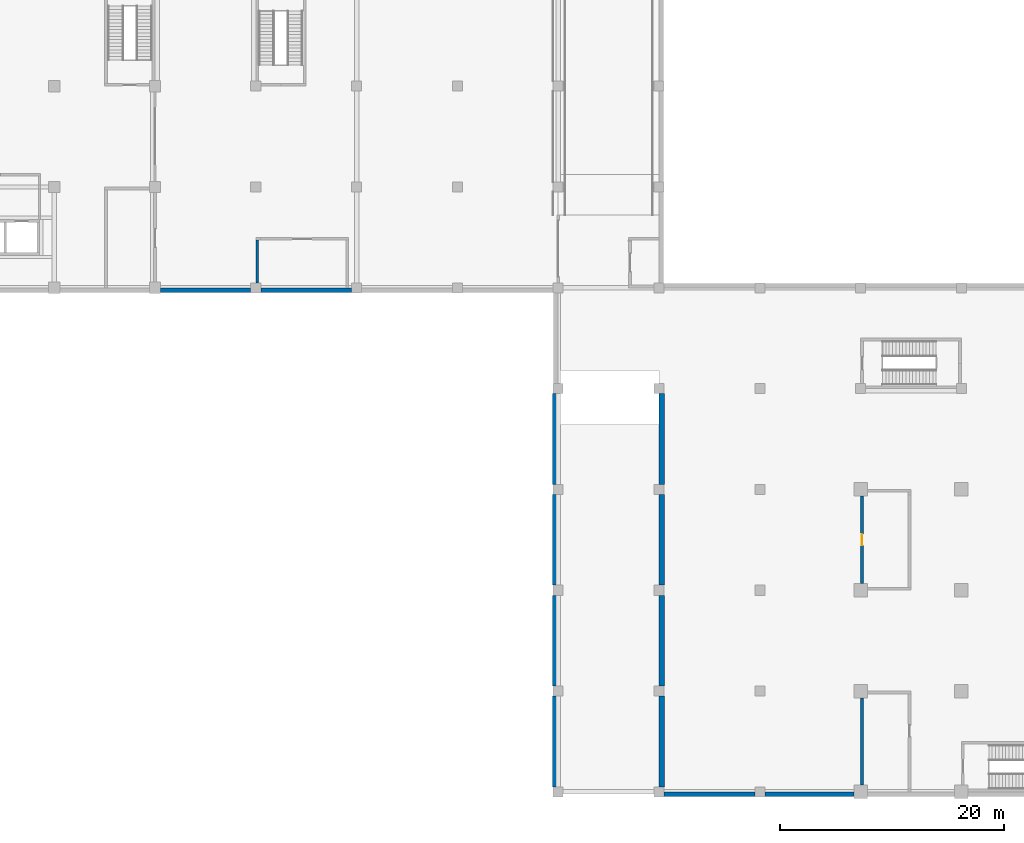
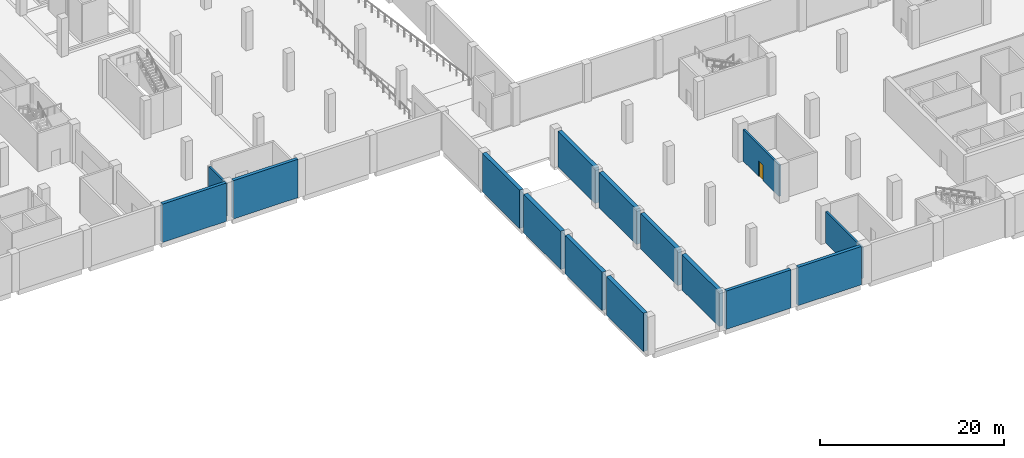
# One storey, part 4 of 16: 15 walls, 1 door, 1 opening.
"""IFC4 building model written with IfcOpenShell, lengths in metres."""

from ifc_helpers import new_model, si_unit, direction, frame, frame_2d, origin, place, context, subcontext, project, spatial, rectangle, extrude, material, layer, layer_set, type_object, element, fill, save


model = new_model("IFC4")

# Units and contexts
model_context = context("Model", 3, precision=1e-05, world=origin(), true_north=direction((0.0, 1.0)))
body_context = subcontext(model_context, "Body", "Model", "MODEL_VIEW")
ifc_project = project(units=[si_unit("LENGTHUNIT", "METRE"), si_unit("AREAUNIT", "SQUARE_METRE"), si_unit("VOLUMEUNIT", "CUBIC_METRE"), si_unit("PLANEANGLEUNIT", "RADIAN"), si_unit("MASSUNIT", "GRAM", prefix="KILO")], contexts=[model_context])

# Site, building, storey
site_placement = place(None, origin())
site = spatial("IfcSite", under=ifc_project, at=site_placement, CompositionType="ELEMENT")
building_placement = place(site_placement, origin())
building = spatial("IfcBuilding", under=site, at=building_placement, Name="Guidao Yard Department Store", CompositionType="ELEMENT")
storey_placement = place(building_placement, frame((0.0, 0.0, -5.10009765625)))
storey = spatial("IfcBuildingStorey", under=building, at=storey_placement, Name="B1", CompositionType="ELEMENT", Elevation=-5.10009765625)

# Walls
ifc_material_1 = material(Name="Concrete C40", Category="concrete")
ifc_layer_1 = layer(ifc_material_1, 0.39990234375)
ifc_layer_set_1 = layer_set([ifc_layer_1], Name="Retaining wall 400 C40")
wall_type_1 = type_object("IfcWallType", Name="Retaining wall 400 C40", PredefinedType="SOLIDWALL", material=ifc_layer_set_1)
wall_1_placement = place(storey_placement, frame((108.449951171875, -0.199951171875, 0.0), z_axis=(0.0, 0.0, 1.0), x_axis=(1.0, 0.0, 0.0)))
element("IfcWall", 1, at=wall_1_placement, inside=storey, type_object=wall_type_1, Name="Retaining wall B1-001", PredefinedType="SOLIDWALL", context=body_context, shape_type="SweptSolid", body=[
    extrude(rectangle(XDim=8.10009765625, YDim=0.39990234375, at=frame_2d((4.050048828125, 0.0))), origin(), (0.0, 0.0, 1.0), 5.10009765625),
])
wall_2_placement = place(storey_placement, frame((117.449951171875, -0.199951171875, 0.0), z_axis=(0.0, 0.0, 1.0), x_axis=(1.0, 0.0, 0.0)))
element("IfcWall", 2, at=wall_2_placement, inside=storey, type_object=wall_type_1, Name="Retaining wall B1-002", PredefinedType="SOLIDWALL", context=body_context, shape_type="SweptSolid", body=[
    extrude(rectangle(XDim=7.949951171875, YDim=0.39990234375, at=frame_2d((3.97509765625, 0.0))), origin(), (0.0, 0.0, 1.0), 5.10009765625),
])
wall_3_placement = place(storey_placement, frame((63.5, 44.800048828125, 0.0), z_axis=(0.0, 0.0, 1.0), x_axis=(1.0, 0.0, 0.0)))
element("IfcWall", 3, at=wall_3_placement, inside=storey, type_object=wall_type_1, Name="Retaining wall B1-025", PredefinedType="SOLIDWALL", context=body_context, shape_type="SweptSolid", body=[
    extrude(rectangle(XDim=8.050048828125, YDim=0.39990234375, at=frame_2d((4.02490234375, 0.0))), origin(), (0.0, 0.0, 1.0), 5.10009765625),
])
wall_4_placement = place(storey_placement, frame((72.449951171875, 44.800048828125, 0.0), z_axis=(0.0, 0.0, 1.0), x_axis=(1.0, 0.0, 0.0)))
element("IfcWall", 4, at=wall_4_placement, inside=storey, type_object=wall_type_1, Name="Retaining wall B1-026", PredefinedType="SOLIDWALL", context=body_context, shape_type="SweptSolid", body=[
    extrude(rectangle(XDim=8.10009765625, YDim=0.39990234375, at=frame_2d((4.050048828125, 0.0))), origin(), (0.0, 0.0, 1.0), 5.10009765625),
])
ifc_material_2 = material(Name="Concrete C40", Category="concrete")
ifc_layer_2 = layer(ifc_material_2, 0.5)
ifc_layer_set_2 = layer_set([ifc_layer_2], Name="Retaining wall 500 C40")
wall_type_2 = type_object("IfcWallType", Name="Retaining wall 500 C40", PredefinedType="SOLIDWALL", material=ifc_layer_set_2)
for number, where, z_axis, x_axis, name in (
    (5, (98.75, 0.449951171875, 0.0), (0.0, 0.0, 1.0), (0.0, 1.0, 0.0), "Ramp flank wall B1-008"),
    (6, (98.75, 9.449951171875, 0.0), (0.0, 0.0, 1.0), (0.0, 1.0, 0.0), "Ramp flank wall B1-010"),
    (7, (98.75, 18.449951171875, 0.0), (0.0, 0.0, 1.0), (0.0, 1.0, 0.0), "Ramp flank wall B1-012"),
    (8, (98.75, 27.449951171875, 0.0), (0.0, 0.0, 1.0), (0.0, 1.0, 0.0), "Ramp flank wall B1-014"),
):
    element("IfcWall", number, at=place(storey_placement, frame(where, z_axis=z_axis, x_axis=x_axis)), inside=storey, type_object=wall_type_2, Name=name, PredefinedType="SOLIDWALL", context=body_context, shape_type="SweptSolid", body=[
        extrude(rectangle(XDim=8.10009765625, YDim=0.5, at=frame_2d((4.050048828125, 0.0))), origin(), (0.0, 0.0, 1.0), 5.10009765625),
    ])
for number, where, z_axis, x_axis, name in (
    (9, (108.25, 0.449951171875, 0.0), (0.0, 0.0, 1.0), (0.0, 1.0, 0.0), "Ramp trench wall B1-062"),
    (10, (108.25, 9.449951171875, 0.0), (0.0, 0.0, 1.0), (0.0, 1.0, 0.0), "Ramp trench wall B1-063"),
    (11, (108.25, 18.449951171875, 0.0), (0.0, 0.0, 1.0), (0.0, 1.0, 0.0), "Ramp trench wall B1-064"),
    (12, (108.25, 27.449951171875, 0.0), (0.0, 0.0, 1.0), (0.0, 1.0, 0.0), "Ramp trench wall B1-065"),
):
    element("IfcWall", number, at=place(storey_placement, frame(where, z_axis=z_axis, x_axis=x_axis)), inside=storey, type_object=wall_type_2, Name=name, PredefinedType="SOLIDWALL", context=body_context, shape_type="SweptSolid", body=[
        extrude(rectangle(XDim=8.10009765625, YDim=0.5, at=frame_2d((4.050048828125, 0.0))), origin(), (0.0, 0.0, 1.0), 4.7001953125),
    ])
ifc_material_3 = material(Name="Concrete C40", Category="concrete")
ifc_layer_3 = layer(ifc_material_3, 0.25)
ifc_layer_set_3 = layer_set([ifc_layer_3], Name="Support Wall 250 Concrete C40")
wall_type_3 = type_object("IfcWallType", Name="Support Wall 250 Concrete C40", PredefinedType="SOLIDWALL", material=ifc_layer_set_3)
wall_5_placement = place(storey_placement, frame((72.125, 45.449951171875, 0.0), z_axis=(0.0, 0.0, 1.0), x_axis=(0.0, 1.0, 0.0)))
element("IfcWall", 13, at=wall_5_placement, inside=storey, type_object=wall_type_3, Name="pt.wall.B1.0054", PredefinedType="SOLIDWALL", context=body_context, shape_type="SweptSolid", body=[
    extrude(rectangle(XDim=3.800048828125, YDim=0.25, at=frame_2d((1.89990234375, 0.0))), origin(), (0.0, 0.0, 1.0), 4.300048828125),
])
wall_6_placement = place(storey_placement, frame((126.125, 0.60009765625, 0.0), z_axis=(0.0, 0.0, 1.0), x_axis=(0.0, 1.0, 0.0)))
element("IfcWall", 14, at=wall_6_placement, inside=storey, type_object=wall_type_3, Name="pt.wall.B1.0068", PredefinedType="SOLIDWALL", context=body_context, shape_type="SweptSolid", body=[
    extrude(rectangle(XDim=7.7998046875, YDim=0.25, at=frame_2d((3.89990234375, 0.0))), origin(), (0.0, 0.0, 1.0), 4.2001953125),
])

# Wall, opening, door
wall_7_placement = place(storey_placement, frame((126.125, 18.60009765625, 0.0), z_axis=(0.0, 0.0, 1.0), x_axis=(0.0, 1.0, 0.0)))
wall_7 = element("IfcWall", 15, at=wall_7_placement, inside=storey, type_object=wall_type_3, Name="pt.wall.B1.0069", PredefinedType="SOLIDWALL", context=body_context, shape_type="SweptSolid", body=[
    extrude(rectangle(XDim=7.7998046875, YDim=0.25, at=frame_2d((3.89990234375, 0.0))), origin(), (0.0, 0.0, 1.0), 4.2001953125),
])
opening_placement = place(wall_7_placement, frame((4.39990234375, 0.0, 0.0), z_axis=(0.0, 0.0, 1.0), x_axis=(-1.0, 0.0, 0.0)))
opening = element("IfcOpeningElement", 16, at=opening_placement, cuts=wall_7, Name="Opening B1-418", PredefinedType="OPENING", context=body_context, shape_type="SweptSolid", body=[
    extrude(rectangle(XDim=1.0, YDim=2.10009765625, at=frame_2d((0.5, 1.050048828125))), frame((0.0, 0.135009765625, 0.0), z_axis=(0.0, -1.0, 0.0), x_axis=(1.0, 0.0, 0.0)), (0.0, 0.0, 1.0), 0.27001953125),
])
ifc_material_4 = material(Name="Timber door leaf with Steel Q235 frame", Category="steel")
door_type = type_object("IfcDoorType", Name="Door 1000 x 2100 FD60 Single Leaf", OperationType="SINGLE_SWING_LEFT", PredefinedType="DOOR", material=ifc_material_4)
door_placement = place(opening_placement, origin())
door = element("IfcDoor", 17, at=door_placement, inside=storey, type_object=door_type, Name="Door B1-418", OperationType="SINGLE_SWING_RIGHT", OverallHeight=2.10009765625, OverallWidth=1.0, PredefinedType="DOOR", context=body_context, shape_type="SweptSolid", body=[
    extrude(rectangle(XDim=1.0, YDim=2.10009765625, at=frame_2d((0.5, 1.050048828125))), frame((0.0, 0.02490234375, 0.0), z_axis=(0.0, -1.0, 0.0), x_axis=(1.0, 0.0, 0.0)), (0.0, 0.0, 1.0), 0.050048828125),
])
fill(opening, door)

save(model, "model.ifc")
